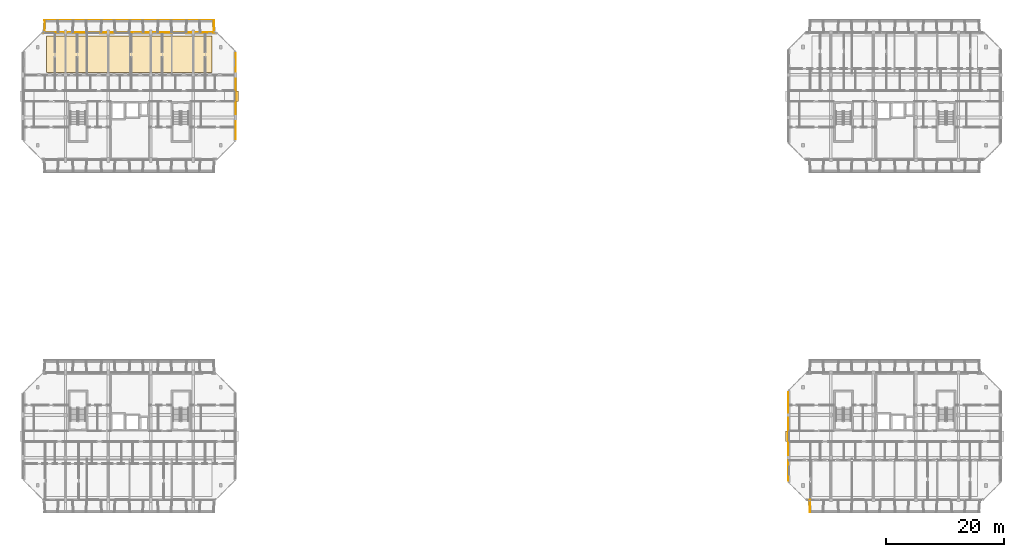
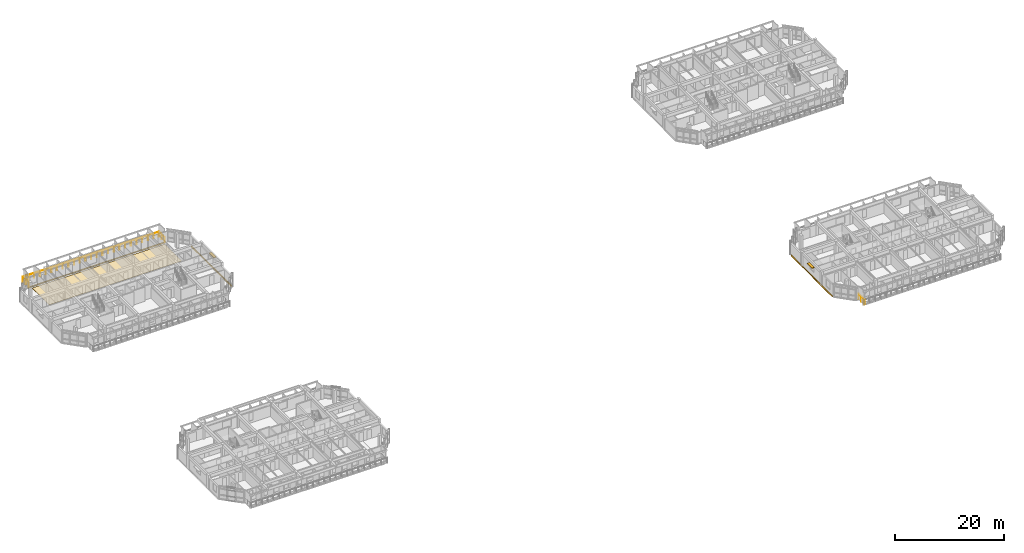
# One storey, part 41 of 46: 4 coverings, 4 railings, 2 shading devices.
"""IFC4 building model written with IfcOpenShell, lengths in metres."""

from ifc_helpers import new_model, si_unit, direction, frame, origin, origin_2d, place, context, subcontext, project, spatial, polyline, rectangle, circle, outline, extrude, material, layer, layer_set, type_object, element, save


model = new_model("IFC4")

# Units and contexts
model_context = context("Model", 3, precision=1e-05, world=origin(), true_north=direction((0.0, 1.0)))
body_context = subcontext(model_context, "Body", "Model", "MODEL_VIEW")
ifc_project = project(units=[si_unit("LENGTHUNIT", "METRE"), si_unit("AREAUNIT", "SQUARE_METRE"), si_unit("VOLUMEUNIT", "CUBIC_METRE"), si_unit("PLANEANGLEUNIT", "RADIAN"), si_unit("MASSUNIT", "GRAM", prefix="KILO")], contexts=[model_context])

# Site, building, storey
site_placement = place(None, origin())
site = spatial("IfcSite", under=ifc_project, at=site_placement, CompositionType="ELEMENT")
building_placement = place(site_placement, origin())
building = spatial("IfcBuilding", under=site, at=building_placement, Name="Ochrevale Crest", CompositionType="ELEMENT")
storey_placement = place(building_placement, frame((0.0, 0.0, 24.449951171875)))
storey = spatial("IfcBuildingStorey", under=building, at=storey_placement, Name="L07", CompositionType="ELEMENT", Elevation=24.449951171875)

# Coverings
ifc_material_1 = material(Name="Glazed terracotta rainscreen tile", Category="masonry")
ifc_layer_1 = layer(ifc_material_1, 0.048095703125)
ifc_layer_set_1 = layer_set([ifc_layer_1], Name="Glazed terracotta rainscreen tile")
covering_type_1 = type_object("IfcCoveringType", Name="COV-CLAD-TER", PredefinedType="CLADDING", material=ifc_layer_set_1)
covering_1_placement = place(storey_placement, frame((36.014404296875, 82.800048828125, -0.259765625), z_axis=(0.0, 0.0, 1.0), x_axis=(0.0, 1.0, 0.0)))
element("IfcCovering", 1, at=covering_1_placement, inside=storey, type_object=covering_type_1, Name="Block B L07 terracotta slab-edge spandrel cladding", PredefinedType="CLADDING", context=body_context, shape_type="SweptSolid", body=[
    extrude(rectangle(XDim=14.60009765625, YDim=0.06005859375, at=origin_2d()), origin(), (0.0, 0.0, 1.0), 0.280029296875),
])
covering_2_placement = place(storey_placement, frame((18.0, 93.612548828125, -0.259765625), z_axis=(0.0, 0.0, 1.0), x_axis=(-1.0, 0.0, 0.0)))
element("IfcCovering", 2, at=covering_2_placement, inside=storey, type_object=covering_type_1, Name="Block B L07 terracotta slab-edge spandrel cladding", PredefinedType="CLADDING", context=body_context, shape_type="SweptSolid", body=[
    extrude(rectangle(XDim=29.0, YDim=0.06005859375, at=origin_2d()), origin(), (0.0, 0.0, 1.0), 0.280029296875),
])
covering_3_placement = place(storey_placement, frame((129.58544921875, 25.199951171875, -0.259765625), z_axis=(0.0, 0.0, 1.0), x_axis=(0.0, -1.0, 0.0)))
element("IfcCovering", 3, at=covering_3_placement, inside=storey, type_object=covering_type_1, Name="Block C L07 terracotta slab-edge spandrel cladding", PredefinedType="CLADDING", context=body_context, shape_type="SweptSolid", body=[
    extrude(rectangle(XDim=15.0, YDim=0.06005859375, at=origin_2d()), origin(), (0.0, 0.0, 1.0), 0.280029296875),
])
ifc_material_2 = material(Name="Engineered spotted-gum hardwood flooring", Category="wood")
ifc_layer_2 = layer(ifc_material_2, 0.02001953125)
ifc_layer_set_2 = layer_set([ifc_layer_2], Name="Engineered spotted-gum hardwood flooring")
covering_type_2 = type_object("IfcCoveringType", Name="COV-FLR-TIM", PredefinedType="FLOORING", material=ifc_layer_set_2)
covering_4_placement = place(storey_placement, origin())
element("IfcCovering", 4, at=covering_4_placement, inside=storey, type_object=covering_type_2, Name="Block B L07 spotted-gum apartment flooring", PredefinedType="FLOORING", context=body_context, shape_type="SweptSolid", body=[
    extrude(outline(polyline([(4.0, 86.800048828125), (32.0, 86.800048828125), (32.0, 93.0), (4.0, 93.0), (4.0, 86.800048828125)])), origin(), (0.0, 0.0, 1.0), 0.02001953125),
])

# Railings
ifc_material_3 = material(Name="Galvanised steel", Category="steel")
railing_type = type_object("IfcRailingType", Name="RL-BAL-1100", PredefinedType="BALUSTRADE", material=ifc_material_3)
railing_1_placement = place(storey_placement, frame((3.60009765625, 95.639892578125, 0.0)))
element("IfcRailing", 5, at=railing_1_placement, inside=storey, type_object=railing_type, Name="Block B L07 N balcony front balustrade", PredefinedType="BALUSTRADE", context=body_context, shape_type="SweptSolid", body=[
    extrude(circle(Radius=0.02392578125, at=origin_2d()), frame((0.0, 0.0, 1.0859375), z_axis=(1.0, 0.0, 0.0), x_axis=(0.0, 1.0, 0.0)), (0.0, 0.0, 1.0), 28.7998046875),
    extrude(circle(Radius=0.02099609375, at=origin_2d()), origin(), (0.0, 0.0, 1.0), 1.06201171875),
    extrude(circle(Radius=0.02099609375, at=origin_2d()), frame((1.199951171875, 0.0, 0.0)), (0.0, 0.0, 1.0), 1.06201171875),
    extrude(circle(Radius=0.02099609375, at=origin_2d()), frame((2.39990234375, 0.0, 0.0)), (0.0, 0.0, 1.0), 1.06201171875),
    extrude(circle(Radius=0.02099609375, at=origin_2d()), frame((3.60009765625, 0.0, 0.0)), (0.0, 0.0, 1.0), 1.06201171875),
    extrude(circle(Radius=0.02099609375, at=origin_2d()), frame((4.800048828125, 0.0, 0.0)), (0.0, 0.0, 1.0), 1.06201171875),
    extrude(circle(Radius=0.02099609375, at=origin_2d()), frame((6.0, 0.0, 0.0)), (0.0, 0.0, 1.0), 1.06201171875),
    extrude(circle(Radius=0.02099609375, at=origin_2d()), frame((7.199951171875, 0.0, 0.0)), (0.0, 0.0, 1.0), 1.06201171875),
    extrude(circle(Radius=0.02099609375, at=origin_2d()), frame((8.39990234375, 0.0, 0.0)), (0.0, 0.0, 1.0), 1.06201171875),
    extrude(circle(Radius=0.02099609375, at=origin_2d()), frame((9.599853515625, 0.0, 0.0)), (0.0, 0.0, 1.0), 1.06201171875),
    extrude(circle(Radius=0.02099609375, at=origin_2d()), frame((10.7998046875, 0.0, 0.0)), (0.0, 0.0, 1.0), 1.06201171875),
    extrude(circle(Radius=0.02099609375, at=origin_2d()), frame((12.0, 0.0, 0.0)), (0.0, 0.0, 1.0), 1.06201171875),
    extrude(circle(Radius=0.02099609375, at=origin_2d()), frame((13.199951171875, 0.0, 0.0)), (0.0, 0.0, 1.0), 1.06201171875),
    extrude(circle(Radius=0.02099609375, at=origin_2d()), frame((14.39990234375, 0.0, 0.0)), (0.0, 0.0, 1.0), 1.06201171875),
    extrude(circle(Radius=0.02099609375, at=origin_2d()), frame((15.599853515625, 0.0, 0.0)), (0.0, 0.0, 1.0), 1.06201171875),
    extrude(circle(Radius=0.02099609375, at=origin_2d()), frame((16.7998046875, 0.0, 0.0)), (0.0, 0.0, 1.0), 1.06201171875),
    extrude(circle(Radius=0.02099609375, at=origin_2d()), frame((18.0, 0.0, 0.0)), (0.0, 0.0, 1.0), 1.06201171875),
    extrude(circle(Radius=0.02099609375, at=origin_2d()), frame((19.199951171875, 0.0, 0.0)), (0.0, 0.0, 1.0), 1.06201171875),
    extrude(circle(Radius=0.02099609375, at=origin_2d()), frame((20.39990234375, 0.0, 0.0)), (0.0, 0.0, 1.0), 1.06201171875),
    extrude(circle(Radius=0.02099609375, at=origin_2d()), frame((21.599853515625, 0.0, 0.0)), (0.0, 0.0, 1.0), 1.06201171875),
    extrude(circle(Radius=0.02099609375, at=origin_2d()), frame((22.7998046875, 0.0, 0.0)), (0.0, 0.0, 1.0), 1.06201171875),
    extrude(circle(Radius=0.02099609375, at=origin_2d()), frame((23.999755859375, 0.0, 0.0)), (0.0, 0.0, 1.0), 1.06201171875),
    extrude(circle(Radius=0.02099609375, at=origin_2d()), frame((25.19970703125, 0.0, 0.0)), (0.0, 0.0, 1.0), 1.06201171875),
    extrude(circle(Radius=0.02099609375, at=origin_2d()), frame((26.39990234375, 0.0, 0.0)), (0.0, 0.0, 1.0), 1.06201171875),
    extrude(circle(Radius=0.02099609375, at=origin_2d()), frame((27.599853515625, 0.0, 0.0)), (0.0, 0.0, 1.0), 1.06201171875),
    extrude(circle(Radius=0.02099609375, at=origin_2d()), frame((28.7998046875, 0.0, 0.0)), (0.0, 0.0, 1.0), 1.06201171875),
])
for number, where, name in (
    (6, (3.659912109375, 93.60009765625, 0.0), "Block B L07 N-W balcony side guard"),
    (7, (32.340087890625, 93.60009765625, 0.0), "Block B L07 N-E balcony side guard"),
):
    element("IfcRailing", number, at=place(storey_placement, frame(where)), inside=storey, type_object=railing_type, Name=name, PredefinedType="BALUSTRADE", context=body_context, shape_type="SweptSolid", body=[
        extrude(circle(Radius=0.02392578125, at=origin_2d()), frame((0.0, 0.0, 1.0859375), z_axis=(0.0, 1.0, 0.0), x_axis=(-1.0, 0.0, 0.0)), (0.0, 0.0, 1.0), 2.039794921875),
        extrude(circle(Radius=0.02099609375, at=origin_2d()), origin(), (0.0, 0.0, 1.0), 1.06201171875),
        extrude(circle(Radius=0.02099609375, at=origin_2d()), frame((0.0, 1.02001953125, 0.0)), (0.0, 0.0, 1.0), 1.06201171875),
        extrude(circle(Radius=0.02099609375, at=origin_2d()), frame((0.0, 2.039794921875, 0.0)), (0.0, 0.0, 1.0), 1.06201171875),
    ])
railing_2_placement = place(storey_placement, frame((133.260009765625, 14.39990234375, 0.0)))
element("IfcRailing", 8, at=railing_2_placement, inside=storey, type_object=railing_type, Name="Block C L07 S-W balcony side guard", PredefinedType="BALUSTRADE", context=body_context, shape_type="SweptSolid", body=[
    extrude(circle(Radius=0.02392578125, at=origin_2d()), frame((0.0, 0.0, 1.0859375), z_axis=(0.0, -1.0, 0.0), x_axis=(1.0, 0.0, 0.0)), (0.0, 0.0, 1.0), 2.039794921875),
    extrude(circle(Radius=0.02099609375, at=origin_2d()), origin(), (0.0, 0.0, 1.0), 1.06201171875),
    extrude(circle(Radius=0.02099609375, at=origin_2d()), frame((0.0, -1.02001953125, 0.0)), (0.0, 0.0, 1.0), 1.06201171875),
    extrude(circle(Radius=0.02099609375, at=origin_2d()), frame((0.0, -2.039794921875, 0.0)), (0.0, 0.0, 1.0), 1.06201171875),
])

# Shading devices
ifc_material_4 = material(Name="Anodised aluminium 6063-T5", Category="aluminium")
shading_device_type = type_object("IfcShadingDeviceType", Name="SHD-SUNSHADE-OC", PredefinedType="USERDEFINED", material=ifc_material_4)
for number, where, z_axis, x_axis, name in (
    (9, (36.239990234375, 82.800048828125, 2.2099609375), (0.0, 0.0, 1.0), (1.0, 0.0, 0.0), "Block B L07 gable window sunshade E"),
    (10, (129.360107421875, 25.199951171875, 2.2099609375), (0.0, 0.0, 1.0), (1.0, 0.0, 0.0), "Block C L07 gable window sunshade W"),
):
    element("IfcShadingDevice", number, at=place(storey_placement, frame(where, z_axis=z_axis, x_axis=x_axis)), inside=storey, type_object=shading_device_type, Name=name, ObjectType="HORIZONTAL SUNSHADE", PredefinedType="USERDEFINED", context=body_context, shape_type="SweptSolid", body=[
        extrude(rectangle(XDim=0.550048828125, YDim=1.800048828125, at=origin_2d()), origin(), (0.0, 0.0, 1.0), 0.139892578125),
    ])

save(model, "model.ifc")
